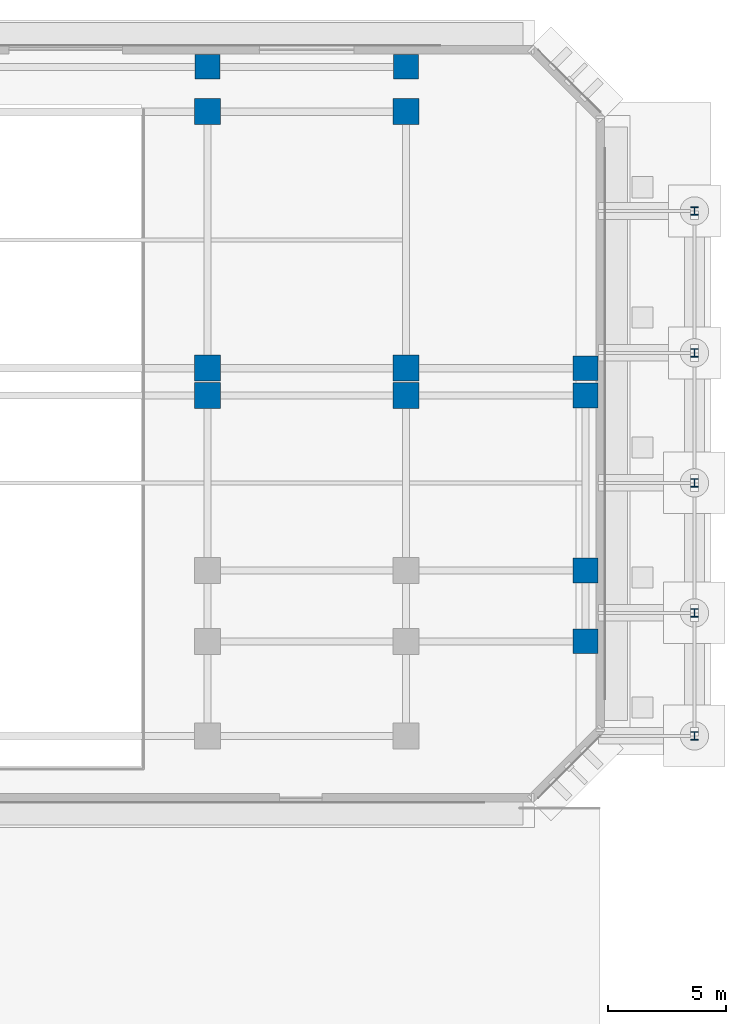
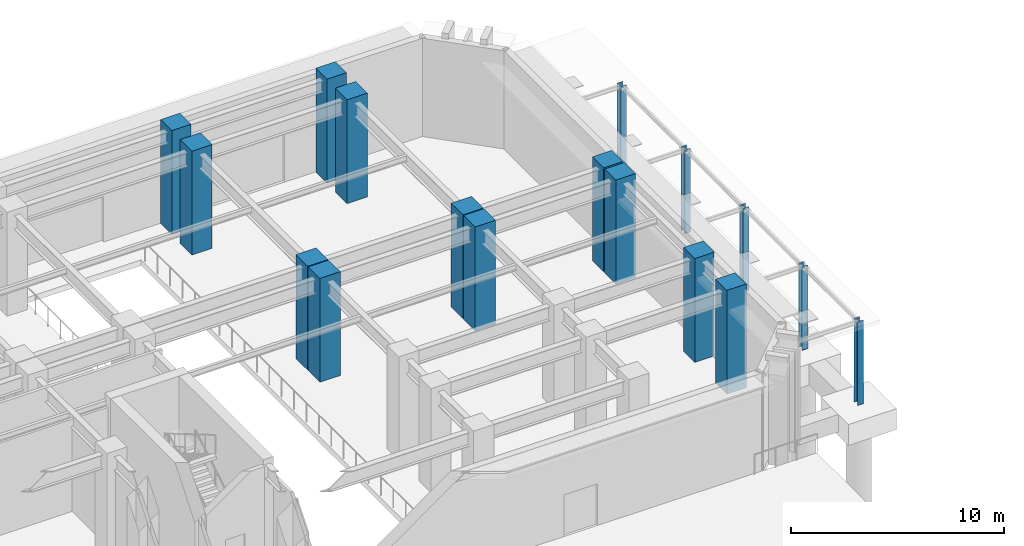
# One storey, part 2 of 18: 17 columns.
"""IFC4 building model written with IfcOpenShell, lengths in metres."""

from ifc_helpers import new_model, si_unit, direction, frame, origin, origin_2d, place, context, subcontext, project, spatial, rectangle, i_section, extrude, material, material_profile, profile_set, type_object, element, save


model = new_model("IFC4")

# Units and contexts
model_context = context("Model", 3, precision=1e-05, world=origin(), true_north=direction((0.0, 1.0)))
body_context = subcontext(model_context, "Body", "Model", "MODEL_VIEW")
ifc_project = project(units=[si_unit("LENGTHUNIT", "METRE"), si_unit("AREAUNIT", "SQUARE_METRE"), si_unit("VOLUMEUNIT", "CUBIC_METRE"), si_unit("PLANEANGLEUNIT", "RADIAN"), si_unit("MASSUNIT", "GRAM", prefix="KILO")], contexts=[model_context])

# Site, building, storey
site_placement = place(None, origin())
site = spatial("IfcSite", under=ifc_project, at=site_placement, CompositionType="ELEMENT")
building_placement = place(site_placement, origin())
building = spatial("IfcBuilding", under=site, at=building_placement, Name="Kefirva Bronze Tower", CompositionType="ELEMENT")
storey_placement = place(building_placement, origin())
storey = spatial("IfcBuildingStorey", under=building, at=storey_placement, Name="L00", CompositionType="ELEMENT", Elevation=0.0)

# Columns
ifc_material_1 = material(Name="Concrete C60/75", Category="concrete")
ifc_material_profile_1 = material_profile(ifc_material_1, rectangle(XDim=1.050048828125, YDim=1.050048828125, at=origin_2d()), Name="RC 1050x1050")
ifc_profile_set_1 = profile_set([ifc_material_profile_1], Name="Concrete C60/75")
column_type_1 = type_object("IfcColumnType", Name="RC Column 1050x1050 Ext", PredefinedType="COLUMN", material=ifc_profile_set_1)
for number, where, z_axis, x_axis, name in (
    (1, (65.199951171875, 47.10009765625, 0.0), (0.0, 0.0, 1.0), (1.0, 0.0, 0.0), "L00 Column C652_471"),
    (2, (73.60009765625, 47.10009765625, 0.0), (0.0, 0.0, 1.0), (1.0, 0.0, 0.0), "L00 Column C736_471"),
    (3, (81.199951171875, 22.800048828125, 0.0), (0.0, 0.0, 1.0), (1.0, 0.0, 0.0), "L00 Column C812_228"),
    (4, (81.199951171875, 25.800048828125, 0.0), (0.0, 0.0, 1.0), (1.0, 0.0, 0.0), "L00 Column C812_258"),
    (5, (81.199951171875, 33.199951171875, 0.0), (0.0, 0.0, 1.0), (1.0, 0.0, 0.0), "L00 Column C812_332"),
    (6, (81.199951171875, 34.35009765625, 0.0), (0.0, 0.0, 1.0), (1.0, 0.0, 0.0), "L00 Column C812_344"),
):
    element("IfcColumn", number, at=place(storey_placement, frame(where, z_axis=z_axis, x_axis=x_axis)), inside=storey, type_object=column_type_1, Name=name, PredefinedType="COLUMN", context=body_context, shape_type="SweptSolid", body=[
        extrude(rectangle(XDim=1.050048828125, YDim=1.050048828125, at=origin_2d()), origin(), (0.0, 0.0, 1.0), 5.93994140625),
    ])
ifc_material_profile_2 = material_profile(ifc_material_1, rectangle(XDim=1.10009765625, YDim=1.10009765625, at=origin_2d()), Name="RC 1100x1100")
ifc_profile_set_2 = profile_set([ifc_material_profile_2], Name="Concrete C60/75")
column_type_2 = type_object("IfcColumnType", Name="RC Column 1100x1100 Int", PredefinedType="COLUMN", material=ifc_profile_set_2)
for number, where, z_axis, x_axis, name in (
    (7, (65.199951171875, 33.199951171875, 0.0), (0.0, 0.0, 1.0), (1.0, 0.0, 0.0), "L00 Column C652_332"),
    (8, (65.199951171875, 34.35009765625, 0.0), (0.0, 0.0, 1.0), (1.0, 0.0, 0.0), "L00 Column C652_344"),
    (9, (65.199951171875, 45.199951171875, 0.0), (0.0, 0.0, 1.0), (1.0, 0.0, 0.0), "L00 Column C652_452"),
    (10, (73.60009765625, 33.199951171875, 0.0), (0.0, 0.0, 1.0), (1.0, 0.0, 0.0), "L00 Column C736_332"),
    (11, (73.60009765625, 34.35009765625, 0.0), (0.0, 0.0, 1.0), (1.0, 0.0, 0.0), "L00 Column C736_344"),
    (12, (73.60009765625, 45.199951171875, 0.0), (0.0, 0.0, 1.0), (1.0, 0.0, 0.0), "L00 Column C736_452"),
):
    element("IfcColumn", number, at=place(storey_placement, frame(where, z_axis=z_axis, x_axis=x_axis)), inside=storey, type_object=column_type_2, Name=name, PredefinedType="COLUMN", context=body_context, shape_type="SweptSolid", body=[
        extrude(rectangle(XDim=1.10009765625, YDim=1.10009765625, at=origin_2d()), origin(), (0.0, 0.0, 1.0), 5.93994140625),
    ])
ifc_material_2 = material(Name="Steel S355", Category="steel")
ifc_material_profile_3 = material_profile(ifc_material_2, i_section(OverallWidth=0.30908203125, OverallDepth=0.35888671875, WebThickness=0.02099609375, FlangeThickness=0.033935546875, at=origin_2d()), Name="HD 320x245")
ifc_profile_set_3 = profile_set([ifc_material_profile_3], Name="Steel S355")
column_type_3 = type_object("IfcColumnType", Name="Steel Column HD 320x245", PredefinedType="COLUMN", material=ifc_profile_set_3)
for number, where, z_axis, x_axis, name in (
    (13, (85.800048828125, 18.800048828125, -0.179931640625), (0.0, 0.0, 1.0), (1.0, 0.0, 0.0), "Plaza Canopy Outer Column 1"),
    (14, (85.800048828125, 24.0, -0.179931640625), (0.0, 0.0, 1.0), (1.0, 0.0, 0.0), "Plaza Canopy Outer Column 2"),
    (15, (85.800048828125, 29.5, -0.179931640625), (0.0, 0.0, 1.0), (1.0, 0.0, 0.0), "Plaza Canopy Outer Column 3"),
    (16, (85.800048828125, 35.0, -0.179931640625), (0.0, 0.0, 1.0), (1.0, 0.0, 0.0), "Plaza Canopy Outer Column 4"),
    (17, (85.800048828125, 41.0, -0.179931640625), (0.0, 0.0, 1.0), (1.0, 0.0, 0.0), "Plaza Canopy Outer Column 5"),
):
    element("IfcColumn", number, at=place(storey_placement, frame(where, z_axis=z_axis, x_axis=x_axis)), inside=storey, type_object=column_type_3, Name=name, PredefinedType="COLUMN", context=body_context, shape_type="SweptSolid", body=[
        extrude(i_section(OverallWidth=0.30908203125, OverallDepth=0.35888671875, WebThickness=0.02099609375, FlangeThickness=0.033935546875, at=origin_2d()), origin(), (0.0, 0.0, 1.0), 4.780029296875),
    ])

save(model, "model.ifc")
